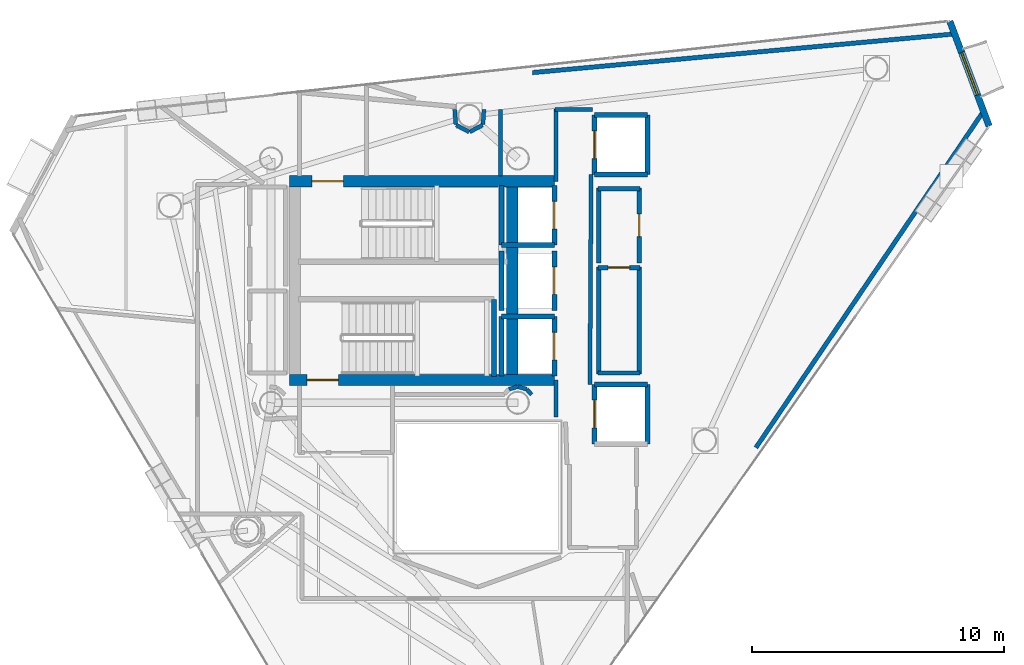
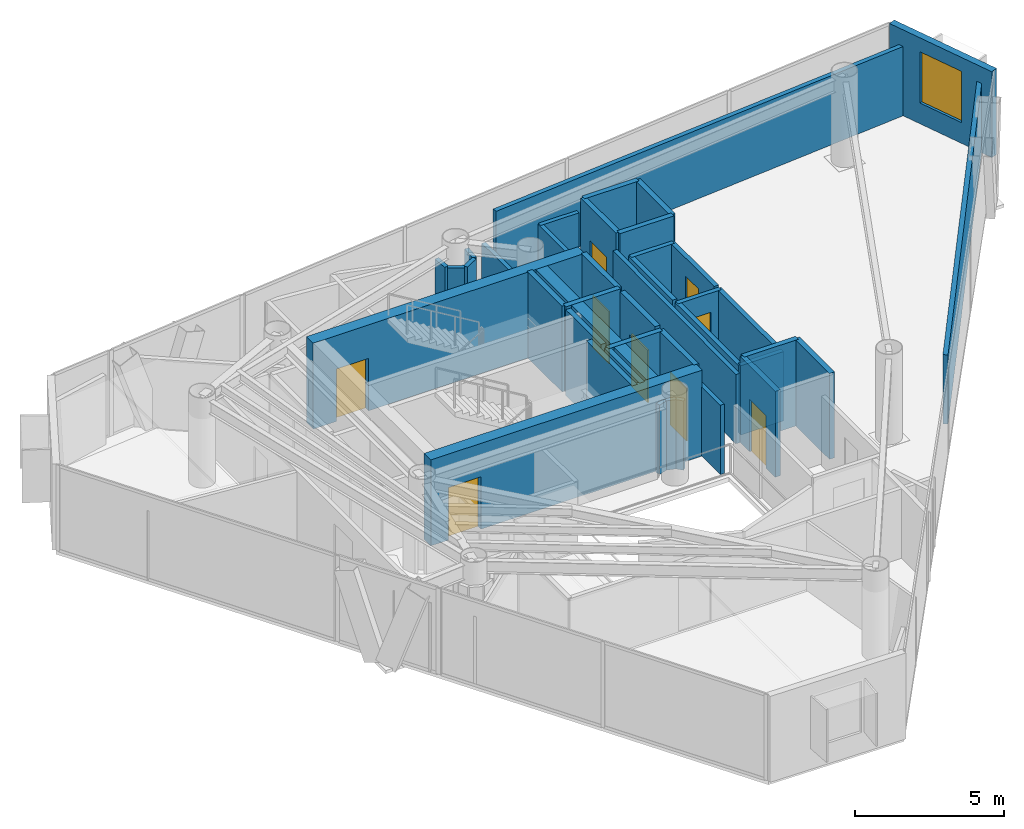
# One storey, part 16 of 19: 41 walls, 9 doors, 1 window, 10 openings.
"""IFC4 building model written with IfcOpenShell, lengths in metres."""

from ifc_helpers import new_model, si_unit, direction, frame, frame_2d, origin, place, context, subcontext, project, spatial, rectangle, extrude, material, layer, layer_set, type_object, element, fill, save


model = new_model("IFC4")

# Units and contexts
model_context = context("Model", 3, precision=1e-05, world=origin(), true_north=direction((0.0, 1.0)))
body_context = subcontext(model_context, "Body", "Model", "MODEL_VIEW")
ifc_project = project(units=[si_unit("LENGTHUNIT", "METRE"), si_unit("AREAUNIT", "SQUARE_METRE"), si_unit("VOLUMEUNIT", "CUBIC_METRE"), si_unit("PLANEANGLEUNIT", "RADIAN"), si_unit("MASSUNIT", "GRAM", prefix="KILO")], contexts=[model_context])

# Site, building, storey
site_placement = place(None, origin())
site = spatial("IfcSite", under=ifc_project, at=site_placement, CompositionType="ELEMENT")
building_placement = place(site_placement, origin())
building = spatial("IfcBuilding", under=site, at=building_placement, Name="Qianvela Tower", CompositionType="ELEMENT")
storey_placement = place(building_placement, frame((0.0, 0.0, 280.60009765625)))
storey = spatial("IfcBuildingStorey", under=building, at=storey_placement, Name="L72", CompositionType="ELEMENT", Elevation=280.60009765625)

# Wall, opening, window
ifc_material_1 = material(Name="Terracotta Cladding on Concrete C40", Category="masonry")
ifc_layer_1 = layer(ifc_material_1, 0.260009765625)
ifc_layer_set_1 = layer_set([ifc_layer_1], Name="Terracotta Cladding on Concrete C40")
wall_type_1 = type_object("IfcWallType", Name="TERRACOTTA-WALL-260", PredefinedType="SOLIDWALL", material=ifc_layer_set_1)
wall_1_placement = place(storey_placement, frame((57.119873046875, 34.835693359375, 0.0), z_axis=(0.0, 0.0, 1.0), x_axis=(-0.350828926288, 0.93643956798, 0.0)))
wall_1 = element("IfcWall", 1, at=wall_1_placement, inside=storey, type_object=wall_type_1, Name="L72 Terracotta Chamfer Facet Wall 1", PredefinedType="SOLIDWALL", context=body_context, shape_type="SweptSolid", body=[
    extrude(rectangle(XDim=4.45166015625, YDim=0.260009765625, at=frame_2d((2.225830078125, 0.0))), origin(), (0.0, 0.0, 1.0), 3.52001953125),
])
opening_1_placement = place(wall_1_placement, frame((1.32568359375, 0.0, 0.85009765625)))
opening_1 = element("IfcOpeningElement", 2, at=opening_1_placement, cuts=wall_1, Name="Opening W-01", PredefinedType="OPENING", context=body_context, shape_type="SweptSolid", body=[
    extrude(rectangle(XDim=1.800048828125, YDim=2.10009765625, at=frame_2d((0.89990234375, 1.050048828125))), frame((0.0, 0.139892578125, 0.0), z_axis=(0.0, -1.0, 0.0), x_axis=(1.0, 0.0, 0.0)), (0.0, 0.0, 1.0), 0.280029296875),
])
ifc_material_2 = material(Name="Thermally Broken Aluminium and Low-E Glass", Category="aluminium")
window_type = type_object("IfcWindowType", Name="WIN-TC-1800x2100", PartitioningType="DOUBLE_PANEL_VERTICAL", PredefinedType="WINDOW", material=ifc_material_2)
window_placement = place(opening_1_placement, origin())
window = element("IfcWindow", 3, at=window_placement, inside=storey, type_object=window_type, Name="L72 Chamfer Facet Window 1.1", OverallHeight=2.10009765625, OverallWidth=1.800048828125, PartitioningType="SINGLE_PANEL", PredefinedType="WINDOW", context=body_context, shape_type="SweptSolid", body=[
    extrude(rectangle(XDim=1.800048828125, YDim=2.10009765625, at=frame_2d((0.89990234375, 1.050048828125))), frame((0.0, 0.030029296875, 0.0), z_axis=(0.0, -1.0, 0.0), x_axis=(1.0, 0.0, 0.0)), (0.0, 0.0, 1.0), 0.06005859375),
])
fill(opening_1, window)

# Wall, opening, door
ifc_material_3 = material(Name="Concrete C50", Category="concrete")
ifc_layer_2 = layer(ifc_material_3, 0.449951171875)
ifc_layer_set_2 = layer_set([ifc_layer_2], Name="Concrete C50")
wall_type_2 = type_object("IfcWallType", Name="WT-CORE-450", PredefinedType="SHEAR", material=ifc_layer_set_2)
wall_2_placement = place(storey_placement, frame((29.330078125, 32.64501953125, 0.0), z_axis=(0.0, 0.0, 1.0), x_axis=(1.0, 0.0, 0.0)))
wall_2 = element("IfcWall", 4, at=wall_2_placement, inside=storey, type_object=wall_type_2, Name="L72 North Core Shear Wall", PredefinedType="SHEAR", context=body_context, shape_type="SweptSolid", body=[
    extrude(rectangle(XDim=10.52001953125, YDim=0.449951171875, at=frame_2d((5.260009765625, 0.0))), origin(), (0.0, 0.0, 1.0), 3.52001953125),
])
opening_2_placement = place(wall_2_placement, frame((0.89501953125, 0.0, 0.0)))
opening_2 = element("IfcOpeningElement", 5, at=opening_2_placement, cuts=wall_2, Name="Opening D-ST1", PredefinedType="OPENING", context=body_context, shape_type="SweptSolid", body=[
    extrude(rectangle(XDim=1.25, YDim=2.14990234375, at=frame_2d((0.625, 1.074951171875))), frame((0.0, 0.23486328125, 0.0), z_axis=(0.0, -1.0, 0.0), x_axis=(1.0, 0.0, 0.0)), (0.0, 0.0, 1.0), 0.469970703125),
])
ifc_material_4 = material(Name="Galvanised Fire Steel Q355B", Category="steel")
door_type_1 = type_object("IfcDoorType", Name="DT-STAIR-FD90", OperationType="NOTDEFINED", PredefinedType="DOOR", material=ifc_material_4)
door_1_placement = place(opening_2_placement, origin())
door_1 = element("IfcDoor", 6, at=door_1_placement, inside=storey, type_object=door_type_1, Name="L72 Stair ST-1 Exit Door", OperationType="SINGLE_SWING_RIGHT", OverallHeight=2.14990234375, OverallWidth=1.25, PredefinedType="DOOR", context=body_context, shape_type="SweptSolid", body=[
    extrude(rectangle(XDim=1.25, YDim=2.14990234375, at=frame_2d((0.625, 1.074951171875))), frame((0.0, 0.02490234375, 0.0), z_axis=(0.0, -1.0, 0.0), x_axis=(1.0, 0.0, 0.0)), (0.0, 0.0, 1.0), 0.050048828125),
])
fill(opening_2, door_1)

wall_3_placement = place(storey_placement, frame((29.330078125, 24.7548828125, 0.0), z_axis=(0.0, 0.0, 1.0), x_axis=(1.0, 0.0, 0.0)))
wall_3 = element("IfcWall", 7, at=wall_3_placement, inside=storey, type_object=wall_type_2, Name="L72 South Core Shear Wall", PredefinedType="SHEAR", context=body_context, shape_type="SweptSolid", body=[
    extrude(rectangle(XDim=10.52001953125, YDim=0.449951171875, at=frame_2d((5.260009765625, 0.0))), origin(), (0.0, 0.0, 1.0), 3.52001953125),
])
opening_3_placement = place(wall_3_placement, frame((0.695068359375, 0.0, 0.0)))
opening_3 = element("IfcOpeningElement", 8, at=opening_3_placement, cuts=wall_3, Name="Opening D-ST1", PredefinedType="OPENING", context=body_context, shape_type="SweptSolid", body=[
    extrude(rectangle(XDim=1.25, YDim=2.14990234375, at=frame_2d((0.625, 1.074951171875))), frame((0.0, 0.23486328125, 0.0), z_axis=(0.0, -1.0, 0.0), x_axis=(1.0, 0.0, 0.0)), (0.0, 0.0, 1.0), 0.469970703125),
])
door_2_placement = place(opening_3_placement, origin())
door_2 = element("IfcDoor", 9, at=door_2_placement, inside=storey, type_object=door_type_1, Name="L72 Stair ST-2 Exit Door", OperationType="SINGLE_SWING_RIGHT", OverallHeight=2.14990234375, OverallWidth=1.25, PredefinedType="DOOR", context=body_context, shape_type="SweptSolid", body=[
    extrude(rectangle(XDim=1.25, YDim=2.14990234375, at=frame_2d((0.625, 1.074951171875))), frame((0.0, 0.02490234375, 0.0), z_axis=(0.0, -1.0, 0.0), x_axis=(1.0, 0.0, 0.0)), (0.0, 0.0, 1.0), 0.050048828125),
])
fill(opening_3, door_2)

# Walls
wall_4_placement = place(storey_placement, frame((38.179931640625, 24.97998046875, 0.0), z_axis=(0.0, 0.0, 1.0), x_axis=(0.0, 1.0, 0.0)))
element("IfcWall", 10, at=wall_4_placement, inside=storey, type_object=wall_type_2, Name="L72 East Spine Core Shear Wall", PredefinedType="SHEAR", context=body_context, shape_type="SweptSolid", body=[
    extrude(rectangle(XDim=7.43994140625, YDim=0.449951171875, at=frame_2d((3.719970703125, 0.0))), origin(), (0.0, 0.0, 1.0), 3.52001953125),
])
ifc_material_5 = material(Name="Fire-Rated Gypsum and Concrete Block", Category="concrete")
ifc_layer_3 = layer(ifc_material_5, 0.159912109375)
ifc_layer_set_3 = layer_set([ifc_layer_3], Name="Fire-Rated Gypsum and Concrete Block")
wall_type_3 = type_object("IfcWallType", Name="WT-CORR-160", PredefinedType="PARTITIONING", material=ifc_layer_set_3)
wall_5_placement = place(storey_placement, frame((39.910888671875, 23.280029296875, 0.0), z_axis=(0.0, 0.0, 1.0), x_axis=(0.0, 1.0, 0.0)))
element("IfcWall", 11, at=wall_5_placement, inside=storey, type_object=wall_type_3, Name="L72 Partition 10", PredefinedType="PARTITIONING", context=body_context, shape_type="SweptSolid", body=[
    extrude(rectangle(XDim=1.47998046875, YDim=0.159912109375, at=frame_2d((0.739990234375, 0.0))), origin(), (0.0, 0.0, 1.0), 2.83984375),
])
wall_6_placement = place(storey_placement, frame((39.910888671875, 32.639892578125, 0.0), z_axis=(0.0, 0.0, 1.0), x_axis=(0.0, 1.0, 0.0)))
element("IfcWall", 12, at=wall_6_placement, inside=storey, type_object=wall_type_3, Name="L72 Partition 12", PredefinedType="PARTITIONING", context=body_context, shape_type="SweptSolid", body=[
    extrude(rectangle(XDim=2.880126953125, YDim=0.159912109375, at=frame_2d((1.43994140625, 0.0))), origin(), (0.0, 0.0, 1.0), 2.83984375),
])
wall_7_placement = place(storey_placement, frame((39.8798828125, 35.489013671875, 0.0), z_axis=(0.0, 0.0, 1.0), x_axis=(1.0, 0.0, 0.0)))
element("IfcWall", 13, at=wall_7_placement, inside=storey, type_object=wall_type_3, Name="L72 Partition 13", PredefinedType="PARTITIONING", context=body_context, shape_type="SweptSolid", body=[
    extrude(rectangle(XDim=1.480224609375, YDim=0.159912109375, at=frame_2d((0.740234375, 0.0))), origin(), (0.0, 0.0, 1.0), 2.83984375),
])
wall_8_placement = place(storey_placement, frame((41.3134765625, 32.919921875, 0.0), z_axis=(0.0, 0.0, 1.0), x_axis=(-0.005942518022, -0.999982343084, 0.0)))
element("IfcWall", 14, at=wall_8_placement, inside=storey, type_object=wall_type_3, Name="L72 Partition 14 seg 2", PredefinedType="PARTITIONING", context=body_context, shape_type="SweptSolid", body=[
    extrude(rectangle(XDim=8.340087890625, YDim=0.159912109375, at=frame_2d((4.169921875, 0.0))), origin(), (0.0, 0.0, 1.0), 2.83984375),
])
wall_9_placement = place(storey_placement, frame((38.950927734375, 24.1708984375, 0.0), z_axis=(0.0, 0.0, 1.0), x_axis=(-0.674186852077, 0.738560822469, 0.0)))
element("IfcWall", 15, at=wall_9_placement, inside=storey, type_object=wall_type_3, Name="L72 Partition 37", PredefinedType="PARTITIONING", context=body_context, shape_type="SweptSolid", body=[
    extrude(rectangle(XDim=0.28076171875, YDim=0.159912109375, at=frame_2d((0.140380859375, 0.0))), origin(), (0.0, 0.0, 1.0), 2.83984375),
])
wall_10_placement = place(storey_placement, frame((38.747802734375, 24.386962890625, 0.0), z_axis=(0.0, 0.0, 1.0), x_axis=(-0.956948991291, 0.290256142171, 0.0)))
element("IfcWall", 16, at=wall_10_placement, inside=storey, type_object=wall_type_3, Name="L72 Partition 38", PredefinedType="PARTITIONING", context=body_context, shape_type="SweptSolid", body=[
    extrude(rectangle(XDim=0.35400390625, YDim=0.159912109375, at=frame_2d((0.177001953125, 0.0))), origin(), (0.0, 0.0, 1.0), 2.83984375),
])
wall_11_placement = place(storey_placement, frame((38.39111328125, 24.48974609375, 0.0), z_axis=(0.0, 0.0, 1.0), x_axis=(-0.957007018611, -0.290064762301, 0.0)))
element("IfcWall", 17, at=wall_11_placement, inside=storey, type_object=wall_type_3, Name="L72 Partition 39", PredefinedType="PARTITIONING", context=body_context, shape_type="SweptSolid", body=[
    extrude(rectangle(XDim=0.354248046875, YDim=0.159912109375, at=frame_2d((0.17724609375, 0.0))), origin(), (0.0, 0.0, 1.0), 2.83984375),
])
wall_12_placement = place(storey_placement, frame((35.89404296875, 35.497802734375, 0.0), z_axis=(0.0, 0.0, 1.0), x_axis=(0.07354059826, -0.997292224179, 0.0)))
element("IfcWall", 18, at=wall_12_placement, inside=storey, type_object=wall_type_3, Name="L72 Partition 56", PredefinedType="PARTITIONING", context=body_context, shape_type="SweptSolid", body=[
    extrude(rectangle(XDim=0.59765625, YDim=0.159912109375, at=frame_2d((0.298828125, 0.0))), origin(), (0.0, 0.0, 1.0), 2.83984375),
])
for number, where, z_axis, x_axis, name in (
    (19, (35.9541015625, 34.876708984375, 0.0), (0.0, 0.0, 1.0), (0.882047254832, -0.471160949405, 0.0), "L72 Partition 57"),
    (20, (36.490478515625, 34.605712890625, 0.0), (0.0, 0.0, 1.0), (0.882047254832, 0.471160949405, 0.0), "L72 Partition 58"),
):
    element("IfcWall", number, at=place(storey_placement, frame(where, z_axis=z_axis, x_axis=x_axis)), inside=storey, type_object=wall_type_3, Name=name, PredefinedType="PARTITIONING", context=body_context, shape_type="SweptSolid", body=[
        extrude(rectangle(XDim=0.5751953125, YDim=0.159912109375, at=frame_2d((0.28759765625, 0.0))), origin(), (0.0, 0.0, 1.0), 2.83984375),
    ])
wall_13_placement = place(storey_placement, frame((37.01416015625, 34.90185546875, 0.0), z_axis=(0.0, 0.0, 1.0), x_axis=(0.073134230676, 0.997322106595, 0.0)))
element("IfcWall", 21, at=wall_13_placement, inside=storey, type_object=wall_type_3, Name="L72 Partition 59", PredefinedType="PARTITIONING", context=body_context, shape_type="SweptSolid", body=[
    extrude(rectangle(XDim=0.59765625, YDim=0.159912109375, at=frame_2d((0.298828125, 0.0))), origin(), (0.0, 0.0, 1.0), 2.83984375),
])
wall_14_placement = place(storey_placement, frame((37.718994140625, 35.5, 0.0), z_axis=(0.0, 0.0, 1.0), x_axis=(0.0, -1.0, 0.0)))
element("IfcWall", 22, at=wall_14_placement, inside=storey, type_object=wall_type_3, Name="L72 Partition 61", PredefinedType="PARTITIONING", context=body_context, shape_type="SweptSolid", body=[
    extrude(rectangle(XDim=2.64208984375, YDim=0.159912109375, at=frame_2d((1.321044921875, 0.0))), origin(), (0.0, 0.0, 1.0), 2.83984375),
])
ifc_material_6 = material(Name="Moisture-Resistant Acoustic Plumbing Wall")
ifc_layer_4 = layer(ifc_material_6, 0.175048828125)
ifc_layer_set_4 = layer_set([ifc_layer_4], Name="Moisture-Resistant Acoustic Plumbing Wall")
wall_type_4 = type_object("IfcWallType", Name="WT-PLUMB-175", PredefinedType="PLUMBINGWALL", material=ifc_layer_set_4)
wall_15_placement = place(storey_placement, frame((43.25, 25.031005859375, 0.0), z_axis=(0.0, 0.0, 1.0), x_axis=(-1.0, 0.0, 0.0)))
element("IfcWall", 23, at=wall_15_placement, inside=storey, type_object=wall_type_4, Name="L72 Partition 19", PredefinedType="PLUMBINGWALL", context=body_context, shape_type="SweptSolid", body=[
    extrude(rectangle(XDim=1.669921875, YDim=0.175048828125, at=frame_2d((0.8349609375, 0.0))), origin(), (0.0, 0.0, 1.0), 2.83984375),
])
wall_16_placement = place(storey_placement, frame((41.611083984375, 25.0, 0.0), z_axis=(0.0, 0.0, 1.0), x_axis=(0.0, 1.0, 0.0)))
element("IfcWall", 24, at=wall_16_placement, inside=storey, type_object=wall_type_4, Name="L72 Partition 20", PredefinedType="PLUMBINGWALL", context=body_context, shape_type="SweptSolid", body=[
    extrude(rectangle(XDim=4.25, YDim=0.175048828125, at=frame_2d((2.125, 0.0))), origin(), (0.0, 0.0, 1.0), 2.83984375),
])

# Wall, opening, door
wall_17_placement = place(storey_placement, frame((41.580078125, 29.218994140625, 0.0), z_axis=(0.0, 0.0, 1.0), x_axis=(1.0, 0.0, 0.0)))
wall_17 = element("IfcWall", 25, at=wall_17_placement, inside=storey, type_object=wall_type_4, Name="L72 Partition 21", PredefinedType="PLUMBINGWALL", context=body_context, shape_type="SweptSolid", body=[
    extrude(rectangle(XDim=1.669921875, YDim=0.175048828125, at=frame_2d((0.8349609375, 0.0))), origin(), (0.0, 0.0, 1.0), 2.83984375),
])
opening_4_placement = place(wall_17_placement, frame((0.405029296875, 0.0, 0.0)))
opening_4 = element("IfcOpeningElement", 26, at=opening_4_placement, cuts=wall_17, Name="Opening D-WC1", PredefinedType="OPENING", context=body_context, shape_type="SweptSolid", body=[
    extrude(rectangle(XDim=0.860107421875, YDim=2.050048828125, at=frame_2d((0.43017578125, 1.02490234375))), frame((0.0, 0.097412109375, 0.0), z_axis=(0.0, -1.0, 0.0), x_axis=(1.0, 0.0, 0.0)), (0.0, 0.0, 1.0), 0.195068359375),
])
ifc_material_7 = material(Name="Moisture-Sealed Acoustic Timber Door", Category="wood")
door_type_2 = type_object("IfcDoorType", Name="DT-WC-860", OperationType="NOTDEFINED", PredefinedType="DOOR", material=ifc_material_7)
door_3_placement = place(opening_4_placement, origin())
door_3 = element("IfcDoor", 27, at=door_3_placement, inside=storey, type_object=door_type_2, Name="L72 Door L72 Accessible WC to L72 Shared Tea Pantry East", OperationType="SINGLE_SWING_RIGHT", OverallHeight=2.050048828125, OverallWidth=0.860107421875, PredefinedType="DOOR", context=body_context, shape_type="SweptSolid", body=[
    extrude(rectangle(XDim=0.860107421875, YDim=2.050048828125, at=frame_2d((0.43017578125, 1.02490234375))), frame((0.0, 0.02490234375, 0.0), z_axis=(0.0, -1.0, 0.0), x_axis=(1.0, 0.0, 0.0)), (0.0, 0.0, 1.0), 0.050048828125),
])
fill(opening_4, door_3)

# Walls
wall_18_placement = place(storey_placement, frame((43.218994140625, 29.25, 0.0), z_axis=(0.0, 0.0, 1.0), x_axis=(0.0, -1.0, 0.0)))
element("IfcWall", 28, at=wall_18_placement, inside=storey, type_object=wall_type_4, Name="L72 Partition 22", PredefinedType="PLUMBINGWALL", context=body_context, shape_type="SweptSolid", body=[
    extrude(rectangle(XDim=4.25, YDim=0.175048828125, at=frame_2d((2.125, 0.0))), origin(), (0.0, 0.0, 1.0), 2.83984375),
])
wall_19_placement = place(storey_placement, frame((41.611083984375, 29.409912109375, 0.0), z_axis=(0.0, 0.0, 1.0), x_axis=(0.0, 1.0, 0.0)))
element("IfcWall", 29, at=wall_19_placement, inside=storey, type_object=wall_type_4, Name="L72 Partition 24", PredefinedType="PLUMBINGWALL", context=body_context, shape_type="SweptSolid", body=[
    extrude(rectangle(XDim=2.969970703125, YDim=0.175048828125, at=frame_2d((1.48486328125, 0.0))), origin(), (0.0, 0.0, 1.0), 2.83984375),
])
wall_20_placement = place(storey_placement, frame((41.580078125, 32.34912109375, 0.0), z_axis=(0.0, 0.0, 1.0), x_axis=(1.0, 0.0, 0.0)))
element("IfcWall", 30, at=wall_20_placement, inside=storey, type_object=wall_type_4, Name="L72 Partition 25", PredefinedType="PLUMBINGWALL", context=body_context, shape_type="SweptSolid", body=[
    extrude(rectangle(XDim=1.669921875, YDim=0.175048828125, at=frame_2d((0.8349609375, 0.0))), origin(), (0.0, 0.0, 1.0), 2.83984375),
])

# Wall, opening, door
wall_21_placement = place(storey_placement, frame((43.218994140625, 32.3798828125, 0.0), z_axis=(0.0, 0.0, 1.0), x_axis=(0.0, -1.0, 0.0)))
wall_21 = element("IfcWall", 31, at=wall_21_placement, inside=storey, type_object=wall_type_4, Name="L72 Partition 26", PredefinedType="PLUMBINGWALL", context=body_context, shape_type="SweptSolid", body=[
    extrude(rectangle(XDim=2.969970703125, YDim=0.175048828125, at=frame_2d((1.48486328125, 0.0))), origin(), (0.0, 0.0, 1.0), 2.83984375),
])
opening_5_placement = place(wall_21_placement, frame((1.034912109375, 0.0, 0.0)))
opening_5 = element("IfcOpeningElement", 32, at=opening_5_placement, cuts=wall_21, Name="Opening D-KT1", PredefinedType="OPENING", context=body_context, shape_type="SweptSolid", body=[
    extrude(rectangle(XDim=0.89990234375, YDim=2.10009765625, at=frame_2d((0.449951171875, 1.050048828125))), frame((0.0, 0.097412109375, 0.0), z_axis=(0.0, -1.0, 0.0), x_axis=(1.0, 0.0, 0.0)), (0.0, 0.0, 1.0), 0.195068359375),
])
ifc_material_8 = material(Name="Glazed Timber Kitchen Door", Category="wood")
door_type_3 = type_object("IfcDoorType", Name="DT-KITCH-900", OperationType="NOTDEFINED", PredefinedType="DOOR", material=ifc_material_8)
door_4_placement = place(opening_5_placement, origin())
door_4 = element("IfcDoor", 33, at=door_4_placement, inside=storey, type_object=door_type_3, Name="L72 Door L72 Shared Tea Pantry East to Student Tea Pantry L72-03", OperationType="SINGLE_SWING_LEFT", OverallHeight=2.10009765625, OverallWidth=0.89990234375, PredefinedType="DOOR", context=body_context, shape_type="SweptSolid", body=[
    extrude(rectangle(XDim=0.89990234375, YDim=2.10009765625, at=frame_2d((0.449951171875, 1.050048828125))), frame((0.0, 0.02490234375, 0.0), z_axis=(0.0, -1.0, 0.0), x_axis=(1.0, 0.0, 0.0)), (0.0, 0.0, 1.0), 0.050048828125),
])
fill(opening_5, door_4)

# Walls
wall_22_placement = place(storey_placement, frame((38.983642578125, 36.960205078125, 0.0), z_axis=(0.0, 0.0, 1.0), x_axis=(0.995829084006, 0.091238344172, 0.0)))
element("IfcWall", 34, at=wall_22_placement, inside=storey, type_object=wall_type_4, Name="L72 Partition 115 seg 1", PredefinedType="PLUMBINGWALL", context=body_context, shape_type="SweptSolid", body=[
    extrude(rectangle(XDim=16.855224609375, YDim=0.175048828125, at=frame_2d((8.427734375, 0.0))), origin(), (0.0, 0.0, 1.0), 2.83984375),
])
wall_23_placement = place(storey_placement, frame((56.90771484375, 35.44873046875, 0.0), z_axis=(0.0, 0.0, 1.0), x_axis=(-0.560239840597, -0.828330441918, 0.0)))
element("IfcWall", 35, at=wall_23_placement, inside=storey, type_object=wall_type_4, Name="L72 Partition 117 seg 1", PredefinedType="PLUMBINGWALL", context=body_context, shape_type="SweptSolid", body=[
    extrude(rectangle(XDim=16.1552734375, YDim=0.175048828125, at=frame_2d((8.07763671875, 0.0))), origin(), (0.0, 0.0, 1.0), 2.83984375),
])
ifc_material_9 = material(Name="Concrete C50", Category="concrete")
ifc_layer_5 = layer(ifc_material_9, 0.199951171875)
ifc_layer_set_5 = layer_set([ifc_layer_5], Name="Concrete C50")
wall_type_5 = type_object("IfcWallType", Name="WT-SHAFT-200", PredefinedType="SOLIDWALL", material=ifc_layer_set_5)
wall_24_placement = place(storey_placement, frame((37.449951171875, 24.89990234375, 0.0), z_axis=(0.0, 0.0, 1.0), x_axis=(0.0, 1.0, 0.0)))
element("IfcWall", 36, at=wall_24_placement, inside=storey, type_object=wall_type_5, Name="L72 Stair ST-2 East Wall", PredefinedType="SOLIDWALL", context=body_context, shape_type="SweptSolid", body=[
    extrude(rectangle(XDim=3.06005859375, YDim=0.199951171875, at=frame_2d((1.530029296875, 0.0))), origin(), (0.0, 0.0, 1.0), 3.52001953125),
])

# Wall, opening, door
wall_25_placement = place(storey_placement, frame((39.85009765625, 30.1201171875, 0.0), z_axis=(0.0, 0.0, 1.0), x_axis=(0.0, 1.0, 0.0)))
wall_25 = element("IfcWall", 37, at=wall_25_placement, inside=storey, type_object=wall_type_5, Name="L72 Lift FL-1 E Shaft Wall", PredefinedType="SOLIDWALL", context=body_context, shape_type="SweptSolid", body=[
    extrude(rectangle(XDim=2.35986328125, YDim=0.199951171875, at=frame_2d((1.179931640625, 0.0))), origin(), (0.0, 0.0, 1.0), 3.52001953125),
])
opening_6_placement = place(wall_25_placement, frame((0.6298828125, 0.0, 0.0)))
opening_6 = element("IfcOpeningElement", 38, at=opening_6_placement, cuts=wall_25, Name="Opening LD-01", PredefinedType="OPENING", context=body_context, shape_type="SweptSolid", body=[
    extrude(rectangle(XDim=1.10009765625, YDim=2.14990234375, at=frame_2d((0.550048828125, 1.074951171875))), frame((0.0, 0.10986328125, 0.0), z_axis=(0.0, -1.0, 0.0), x_axis=(1.0, 0.0, 0.0)), (0.0, 0.0, 1.0), 0.219970703125),
])
ifc_material_10 = material(Name="Brushed Stainless Steel Lift Landing Door", Category="steel")
door_type_4 = type_object("IfcDoorType", Name="DT-LIFT-SLIDE-1100", OperationType="SLIDING_TO_LEFT", PredefinedType="DOOR", material=ifc_material_10)
door_5_placement = place(opening_6_placement, origin())
door_5 = element("IfcDoor", 39, at=door_5_placement, inside=storey, type_object=door_type_4, Name="L72 Lift FL-1 Sliding Landing Door", OperationType="SLIDING_TO_LEFT", OverallHeight=2.14990234375, OverallWidth=1.10009765625, PredefinedType="DOOR", context=body_context, shape_type="SweptSolid", body=[
    extrude(rectangle(XDim=1.10009765625, YDim=2.14990234375, at=frame_2d((0.550048828125, 1.074951171875))), frame((0.0, 0.02490234375, 0.0), z_axis=(0.0, -1.0, 0.0), x_axis=(1.0, 0.0, 0.0)), (0.0, 0.0, 1.0), 0.050048828125),
])
fill(opening_6, door_5)

# Walls
wall_26_placement = place(storey_placement, frame((37.75, 30.1201171875, 0.0), z_axis=(0.0, 0.0, 1.0), x_axis=(0.0, 1.0, 0.0)))
element("IfcWall", 40, at=wall_26_placement, inside=storey, type_object=wall_type_5, Name="L72 Lift FL-1 W Shaft Wall", PredefinedType="SOLIDWALL", context=body_context, shape_type="SweptSolid", body=[
    extrude(rectangle(XDim=2.35986328125, YDim=0.199951171875, at=frame_2d((1.179931640625, 0.0))), origin(), (0.0, 0.0, 1.0), 3.52001953125),
])
wall_27_placement = place(storey_placement, frame((37.75, 30.1201171875, 0.0), z_axis=(0.0, 0.0, 1.0), x_axis=(1.0, 0.0, 0.0)))
element("IfcWall", 41, at=wall_27_placement, inside=storey, type_object=wall_type_5, Name="L72 Lift FL-1 S Shaft Wall", PredefinedType="SOLIDWALL", context=body_context, shape_type="SweptSolid", body=[
    extrude(rectangle(XDim=2.10009765625, YDim=0.199951171875, at=frame_2d((1.050048828125, 0.0))), origin(), (0.0, 0.0, 1.0), 3.52001953125),
])

# Wall, opening, door
wall_28_placement = place(storey_placement, frame((39.85009765625, 24.919921875, 0.0), z_axis=(0.0, 0.0, 1.0), x_axis=(0.0, 1.0, 0.0)))
wall_28 = element("IfcWall", 42, at=wall_28_placement, inside=storey, type_object=wall_type_5, Name="L72 Lift FL-2 E Shaft Wall", PredefinedType="SOLIDWALL", context=body_context, shape_type="SweptSolid", body=[
    extrude(rectangle(XDim=2.360107421875, YDim=0.199951171875, at=frame_2d((1.18017578125, 0.0))), origin(), (0.0, 0.0, 1.0), 3.52001953125),
])
opening_7_placement = place(wall_28_placement, frame((0.6298828125, 0.0, 0.0)))
opening_7 = element("IfcOpeningElement", 43, at=opening_7_placement, cuts=wall_28, Name="Opening LD-01", PredefinedType="OPENING", context=body_context, shape_type="SweptSolid", body=[
    extrude(rectangle(XDim=1.10009765625, YDim=2.14990234375, at=frame_2d((0.550048828125, 1.074951171875))), frame((0.0, 0.10986328125, 0.0), z_axis=(0.0, -1.0, 0.0), x_axis=(1.0, 0.0, 0.0)), (0.0, 0.0, 1.0), 0.219970703125),
])
door_6_placement = place(opening_7_placement, origin())
door_6 = element("IfcDoor", 44, at=door_6_placement, inside=storey, type_object=door_type_4, Name="L72 Lift FL-2 Sliding Landing Door", OperationType="SLIDING_TO_LEFT", OverallHeight=2.14990234375, OverallWidth=1.10009765625, PredefinedType="DOOR", context=body_context, shape_type="SweptSolid", body=[
    extrude(rectangle(XDim=1.10009765625, YDim=2.14990234375, at=frame_2d((0.550048828125, 1.074951171875))), frame((0.0, 0.02490234375, 0.0), z_axis=(0.0, -1.0, 0.0), x_axis=(1.0, 0.0, 0.0)), (0.0, 0.0, 1.0), 0.050048828125),
])
fill(opening_7, door_6)

# Walls
wall_29_placement = place(storey_placement, frame((37.75, 24.919921875, 0.0), z_axis=(0.0, 0.0, 1.0), x_axis=(0.0, 1.0, 0.0)))
element("IfcWall", 45, at=wall_29_placement, inside=storey, type_object=wall_type_5, Name="L72 Lift FL-2 W Shaft Wall", PredefinedType="SOLIDWALL", context=body_context, shape_type="SweptSolid", body=[
    extrude(rectangle(XDim=2.360107421875, YDim=0.199951171875, at=frame_2d((1.18017578125, 0.0))), origin(), (0.0, 0.0, 1.0), 3.52001953125),
])
wall_30_placement = place(storey_placement, frame((37.75, 27.280029296875, 0.0), z_axis=(0.0, 0.0, 1.0), x_axis=(1.0, 0.0, 0.0)))
element("IfcWall", 46, at=wall_30_placement, inside=storey, type_object=wall_type_5, Name="L72 Lift FL-2 N Shaft Wall", PredefinedType="SOLIDWALL", context=body_context, shape_type="SweptSolid", body=[
    extrude(rectangle(XDim=2.10009765625, YDim=0.199951171875, at=frame_2d((1.050048828125, 0.0))), origin(), (0.0, 0.0, 1.0), 3.52001953125),
])

# Wall, opening, door
wall_31_placement = place(storey_placement, frame((39.85009765625, 27.52001953125, 0.0), z_axis=(0.0, 0.0, 1.0), x_axis=(0.0, 1.0, 0.0)))
wall_31 = element("IfcWall", 47, at=wall_31_placement, inside=storey, type_object=wall_type_5, Name="L72 Lift PL-H1 E Shaft Wall", PredefinedType="SOLIDWALL", context=body_context, shape_type="SweptSolid", body=[
    extrude(rectangle(XDim=2.35986328125, YDim=0.199951171875, at=frame_2d((1.179931640625, 0.0))), origin(), (0.0, 0.0, 1.0), 3.52001953125),
])
opening_8_placement = place(wall_31_placement, frame((0.6298828125, 0.0, 0.0)))
opening_8 = element("IfcOpeningElement", 48, at=opening_8_placement, cuts=wall_31, Name="Opening LD-01", PredefinedType="OPENING", context=body_context, shape_type="SweptSolid", body=[
    extrude(rectangle(XDim=1.10009765625, YDim=2.14990234375, at=frame_2d((0.550048828125, 1.074951171875))), frame((0.0, 0.10986328125, 0.0), z_axis=(0.0, -1.0, 0.0), x_axis=(1.0, 0.0, 0.0)), (0.0, 0.0, 1.0), 0.219970703125),
])
door_7_placement = place(opening_8_placement, origin())
door_7 = element("IfcDoor", 49, at=door_7_placement, inside=storey, type_object=door_type_4, Name="L72 Lift PL-H1 Sliding Landing Door", OperationType="SLIDING_TO_LEFT", OverallHeight=2.14990234375, OverallWidth=1.10009765625, PredefinedType="DOOR", context=body_context, shape_type="SweptSolid", body=[
    extrude(rectangle(XDim=1.10009765625, YDim=2.14990234375, at=frame_2d((0.550048828125, 1.074951171875))), frame((0.0, 0.02490234375, 0.0), z_axis=(0.0, -1.0, 0.0), x_axis=(1.0, 0.0, 0.0)), (0.0, 0.0, 1.0), 0.050048828125),
])
fill(opening_8, door_7)

# Walls
wall_32_placement = place(storey_placement, frame((37.75, 27.52001953125, 0.0), z_axis=(0.0, 0.0, 1.0), x_axis=(0.0, 1.0, 0.0)))
element("IfcWall", 50, at=wall_32_placement, inside=storey, type_object=wall_type_5, Name="L72 Lift PL-H1 W Shaft Wall", PredefinedType="SOLIDWALL", context=body_context, shape_type="SweptSolid", body=[
    extrude(rectangle(XDim=2.35986328125, YDim=0.199951171875, at=frame_2d((1.179931640625, 0.0))), origin(), (0.0, 0.0, 1.0), 3.52001953125),
])
wall_33_placement = place(storey_placement, frame((43.550048828125, 22.219970703125, 0.0), z_axis=(0.0, 0.0, 1.0), x_axis=(0.0, 1.0, 0.0)))
element("IfcWall", 51, at=wall_33_placement, inside=storey, type_object=wall_type_5, Name="L72 Lift PL-H2 E Shaft Wall", PredefinedType="SOLIDWALL", context=body_context, shape_type="SweptSolid", body=[
    extrude(rectangle(XDim=2.360107421875, YDim=0.199951171875, at=frame_2d((1.18017578125, 0.0))), origin(), (0.0, 0.0, 1.0), 3.52001953125),
])

# Wall, opening, door
wall_34_placement = place(storey_placement, frame((41.449951171875, 22.219970703125, 0.0), z_axis=(0.0, 0.0, 1.0), x_axis=(0.0, 1.0, 0.0)))
wall_34 = element("IfcWall", 52, at=wall_34_placement, inside=storey, type_object=wall_type_5, Name="L72 Lift PL-H2 W Shaft Wall", PredefinedType="SOLIDWALL", context=body_context, shape_type="SweptSolid", body=[
    extrude(rectangle(XDim=2.360107421875, YDim=0.199951171875, at=frame_2d((1.18017578125, 0.0))), origin(), (0.0, 0.0, 1.0), 3.52001953125),
])
opening_9_placement = place(wall_34_placement, frame((0.6298828125, 0.0, 0.0)))
opening_9 = element("IfcOpeningElement", 53, at=opening_9_placement, cuts=wall_34, Name="Opening LD-01", PredefinedType="OPENING", context=body_context, shape_type="SweptSolid", body=[
    extrude(rectangle(XDim=1.10009765625, YDim=2.14990234375, at=frame_2d((0.550048828125, 1.074951171875))), frame((0.0, 0.10986328125, 0.0), z_axis=(0.0, -1.0, 0.0), x_axis=(1.0, 0.0, 0.0)), (0.0, 0.0, 1.0), 0.219970703125),
])
door_8_placement = place(opening_9_placement, origin())
door_8 = element("IfcDoor", 54, at=door_8_placement, inside=storey, type_object=door_type_4, Name="L72 Lift PL-H2 Sliding Landing Door", OperationType="SLIDING_TO_LEFT", OverallHeight=2.14990234375, OverallWidth=1.10009765625, PredefinedType="DOOR", context=body_context, shape_type="SweptSolid", body=[
    extrude(rectangle(XDim=1.10009765625, YDim=2.14990234375, at=frame_2d((0.550048828125, 1.074951171875))), frame((0.0, 0.02490234375, 0.0), z_axis=(0.0, -1.0, 0.0), x_axis=(1.0, 0.0, 0.0)), (0.0, 0.0, 1.0), 0.050048828125),
])
fill(opening_9, door_8)

# Walls
wall_35_placement = place(storey_placement, frame((41.449951171875, 24.580078125, 0.0), z_axis=(0.0, 0.0, 1.0), x_axis=(1.0, 0.0, 0.0)))
element("IfcWall", 55, at=wall_35_placement, inside=storey, type_object=wall_type_5, Name="L72 Lift PL-H2 N Shaft Wall", PredefinedType="SOLIDWALL", context=body_context, shape_type="SweptSolid", body=[
    extrude(rectangle(XDim=2.10009765625, YDim=0.199951171875, at=frame_2d((1.050048828125, 0.0))), origin(), (0.0, 0.0, 1.0), 3.52001953125),
])
wall_36_placement = place(storey_placement, frame((43.550048828125, 32.919921875, 0.0), z_axis=(0.0, 0.0, 1.0), x_axis=(0.0, 1.0, 0.0)))
element("IfcWall", 56, at=wall_36_placement, inside=storey, type_object=wall_type_5, Name="L72 Lift PL-H3 E Shaft Wall", PredefinedType="SOLIDWALL", context=body_context, shape_type="SweptSolid", body=[
    extrude(rectangle(XDim=2.360107421875, YDim=0.199951171875, at=frame_2d((1.18017578125, 0.0))), origin(), (0.0, 0.0, 1.0), 3.52001953125),
])

# Wall, opening, door
wall_37_placement = place(storey_placement, frame((41.449951171875, 32.919921875, 0.0), z_axis=(0.0, 0.0, 1.0), x_axis=(0.0, 1.0, 0.0)))
wall_37 = element("IfcWall", 57, at=wall_37_placement, inside=storey, type_object=wall_type_5, Name="L72 Lift PL-H3 W Shaft Wall", PredefinedType="SOLIDWALL", context=body_context, shape_type="SweptSolid", body=[
    extrude(rectangle(XDim=2.360107421875, YDim=0.199951171875, at=frame_2d((1.18017578125, 0.0))), origin(), (0.0, 0.0, 1.0), 3.52001953125),
])
opening_10_placement = place(wall_37_placement, frame((0.6298828125, 0.0, 0.0)))
opening_10 = element("IfcOpeningElement", 58, at=opening_10_placement, cuts=wall_37, Name="Opening LD-01", PredefinedType="OPENING", context=body_context, shape_type="SweptSolid", body=[
    extrude(rectangle(XDim=1.10009765625, YDim=2.14990234375, at=frame_2d((0.550048828125, 1.074951171875))), frame((0.0, 0.10986328125, 0.0), z_axis=(0.0, -1.0, 0.0), x_axis=(1.0, 0.0, 0.0)), (0.0, 0.0, 1.0), 0.219970703125),
])
door_9_placement = place(opening_10_placement, origin())
door_9 = element("IfcDoor", 59, at=door_9_placement, inside=storey, type_object=door_type_4, Name="L72 Lift PL-H3 Sliding Landing Door", OperationType="SLIDING_TO_LEFT", OverallHeight=2.14990234375, OverallWidth=1.10009765625, PredefinedType="DOOR", context=body_context, shape_type="SweptSolid", body=[
    extrude(rectangle(XDim=1.10009765625, YDim=2.14990234375, at=frame_2d((0.550048828125, 1.074951171875))), frame((0.0, 0.02490234375, 0.0), z_axis=(0.0, -1.0, 0.0), x_axis=(1.0, 0.0, 0.0)), (0.0, 0.0, 1.0), 0.050048828125),
])
fill(opening_10, door_9)

# Walls
for number, where, z_axis, x_axis, name in (
    (60, (41.449951171875, 35.280029296875, 0.0), (0.0, 0.0, 1.0), (1.0, 0.0, 0.0), "L72 Lift PL-H3 N Shaft Wall"),
    (61, (41.449951171875, 32.919921875, 0.0), (0.0, 0.0, 1.0), (1.0, 0.0, 0.0), "L72 Lift PL-H3 S Shaft Wall"),
):
    element("IfcWall", number, at=place(storey_placement, frame(where, z_axis=z_axis, x_axis=x_axis)), inside=storey, type_object=wall_type_5, Name=name, PredefinedType="SOLIDWALL", context=body_context, shape_type="SweptSolid", body=[
        extrude(rectangle(XDim=2.10009765625, YDim=0.199951171875, at=frame_2d((1.050048828125, 0.0))), origin(), (0.0, 0.0, 1.0), 3.52001953125),
    ])

save(model, "model.ifc")
